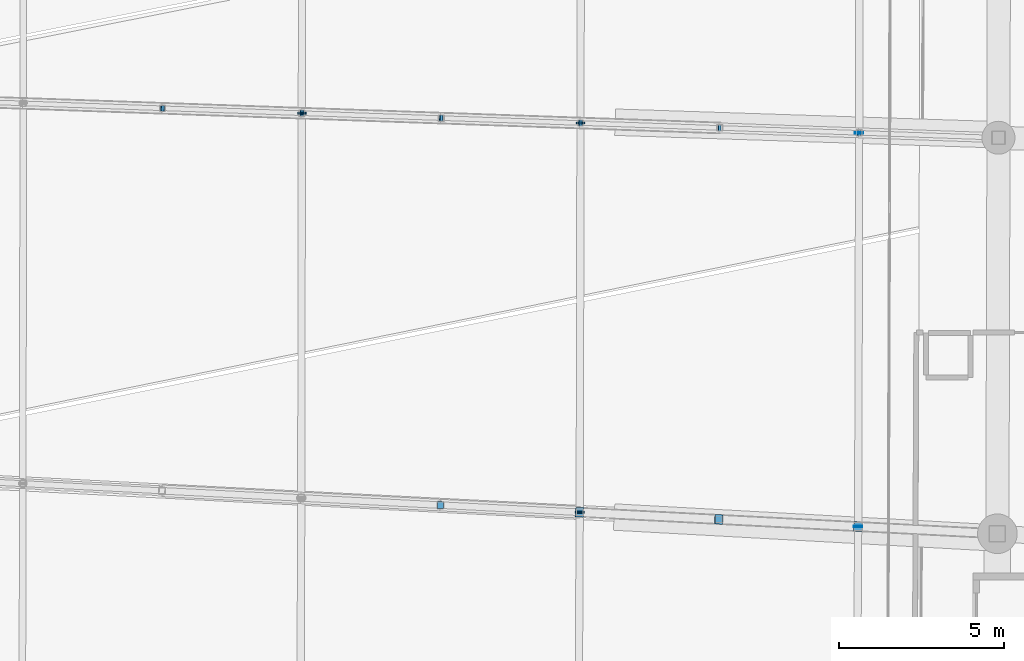
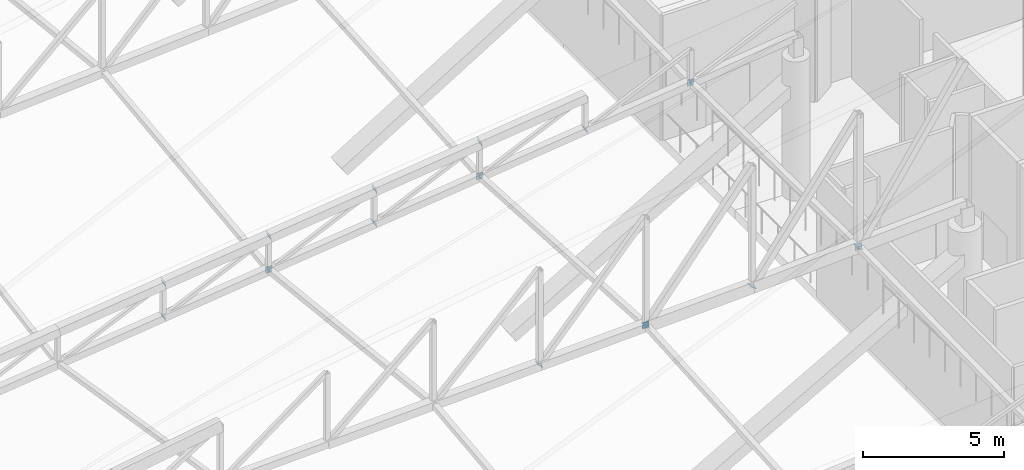
# One storey, part 304 of 344: 24 discrete accessories.
"""IFC4 building model written with IfcOpenShell, lengths in metres."""

from ifc_helpers import new_model, si_unit, direction, frame, origin, origin_2d, place, context, subcontext, project, spatial, rectangle, extrude, material, material_profile, profile_set, type_object, element, save


model = new_model("IFC4")

# Units and contexts
model_context = context("Model", 3, precision=1e-05, world=origin(), true_north=direction((0.0, 1.0)))
body_context = subcontext(model_context, "Body", "Model", "MODEL_VIEW")
ifc_project = project(units=[si_unit("LENGTHUNIT", "METRE"), si_unit("AREAUNIT", "SQUARE_METRE"), si_unit("VOLUMEUNIT", "CUBIC_METRE"), si_unit("PLANEANGLEUNIT", "RADIAN"), si_unit("MASSUNIT", "GRAM", prefix="KILO")], contexts=[model_context])

# Site, building, storey
site_placement = place(None, origin())
site = spatial("IfcSite", under=ifc_project, at=site_placement, CompositionType="ELEMENT")
building_placement = place(site_placement, origin())
building = spatial("IfcBuilding", under=site, at=building_placement, Name="Meseta Stadium", CompositionType="ELEMENT")
storey_placement = place(building_placement, frame((0.0, 0.0, 24.0)))
storey = spatial("IfcBuildingStorey", under=building, at=storey_placement, Name="L04", CompositionType="ELEMENT", Elevation=24.0)

# Discrete accessories
ifc_material_1 = material(Name="Steel S355", Category="steel")
ifc_material_profile_1 = material_profile(ifc_material_1, rectangle(XDim=0.179931640625, YDim=0.179931640625, at=origin_2d()), Name="PL 180x180")
ifc_profile_set_1 = profile_set([ifc_material_profile_1], Name="Steel S355")
discrete_accessory_type_1 = type_object("IfcDiscreteAccessoryType", Name="End plate 180x180x20", PredefinedType="ANCHORPLATE", material=ifc_profile_set_1)
for number, where, z_axis, x_axis, name in (
    (1, (59.655517578125, -17.518310546875, 4.429443359375), (0.898638141175, -0.036431275994, 0.437175311923), (0.040507266643, 0.999179243854, 0.0), "End plate of ROOF TRUSS RT-03 diagonal"),
    (2, (59.637451171875, -17.517822265625, 2.99267578125), (0.903716743385, -0.024424776848, 0.427433594844), (0.027017161348, 0.999634969873, 0.0), "End plate of ROOF TRUSS RT-03 diagonal"),
    (3, (63.875, -17.667236328125, 5.0625), (0.898969631887, -0.024296476537, 0.437336577675), (0.027017161348, 0.999634969873, 0.0), "End plate of ROOF TRUSS RT-03 diagonal"),
):
    element("IfcDiscreteAccessory", number, at=place(storey_placement, frame(where, z_axis=z_axis, x_axis=x_axis)), inside=storey, type_object=discrete_accessory_type_1, Name=name, PredefinedType="ANCHORPLATE", context=body_context, shape_type="SweptSolid", body=[
        extrude(rectangle(XDim=0.179931640625, YDim=0.179931640625, at=origin_2d()), origin(), (0.0, 0.0, 1.0), 0.02001953125),
    ])
discrete_accessory_1_placement = place(storey_placement, frame((63.857177734375, -17.66650390625, 3.625732421875), z_axis=(0.896262295257, -0.036832697065, 0.441992364784), x_axis=(0.041061231452, 0.999156632001, 0.0)))
element("IfcDiscreteAccessory", 4, at=discrete_accessory_1_placement, inside=storey, type_object=discrete_accessory_type_1, Name="End plate of ROOF TRUSS RT-03 diagonal", PredefinedType="ANCHORPLATE", context=body_context, shape_type="SweptSolid", body=[
    extrude(rectangle(XDim=0.179931640625, YDim=0.179931640625, at=origin_2d()), origin(), (0.0, 0.0, 1.0), 0.019775390625),
])
for number, where, z_axis, x_axis, name in (
    (5, (68.0947265625, -17.81591796875, 5.695556640625), (0.898969631887, -0.024296476537, 0.437336577675), (0.027017161348, 0.999634969873, 0.0), "End plate of ROOF TRUSS RT-03 diagonal"),
    (6, (68.07666015625, -17.815185546875, 4.2587890625), (0.898638141175, -0.036431275994, 0.437175311923), (0.040507266643, 0.999179243854, 0.0), "End plate of ROOF TRUSS RT-03 diagonal"),
    (7, (72.314208984375, -17.964599609375, 6.32861328125), (0.898969631887, -0.024296476537, 0.437336577675), (0.027017161348, 0.999634969873, 0.0), "End plate of ROOF TRUSS RT-03 diagonal"),
):
    element("IfcDiscreteAccessory", number, at=place(storey_placement, frame(where, z_axis=z_axis, x_axis=x_axis)), inside=storey, type_object=discrete_accessory_type_1, Name=name, PredefinedType="ANCHORPLATE", context=body_context, shape_type="SweptSolid", body=[
        extrude(rectangle(XDim=0.179931640625, YDim=0.179931640625, at=origin_2d()), origin(), (0.0, 0.0, 1.0), 0.02001953125),
    ])
discrete_accessory_2_placement = place(storey_placement, frame((72.29638671875, -17.9638671875, 4.891845703125), z_axis=(0.896262295257, -0.036832697065, 0.441992364784), x_axis=(0.041061231452, 0.999156632001, 0.0)))
element("IfcDiscreteAccessory", 8, at=discrete_accessory_2_placement, inside=storey, type_object=discrete_accessory_type_1, Name="End plate of ROOF TRUSS RT-03 diagonal", PredefinedType="ANCHORPLATE", context=body_context, shape_type="SweptSolid", body=[
    extrude(rectangle(XDim=0.179931640625, YDim=0.179931640625, at=origin_2d()), origin(), (0.0, 0.0, 1.0), 0.019775390625),
])
discrete_accessory_3_placement = place(storey_placement, frame((76.515869140625, -18.112548828125, 5.52490234375), z_axis=(0.898638141175, -0.036431275994, 0.437175311923), x_axis=(0.040507266643, 0.999179243854, 0.0)))
element("IfcDiscreteAccessory", 9, at=discrete_accessory_3_placement, inside=storey, type_object=discrete_accessory_type_1, Name="End plate of ROOF TRUSS RT-03 diagonal", PredefinedType="ANCHORPLATE", context=body_context, shape_type="SweptSolid", body=[
    extrude(rectangle(XDim=0.179931640625, YDim=0.179931640625, at=origin_2d()), origin(), (0.0, 0.0, 1.0), 0.02001953125),
])
discrete_accessory_4_placement = place(storey_placement, frame((80.735595703125, -18.261474609375, 6.158203125), z_axis=(0.896600239651, -0.024564390127, 0.442159022294), x_axis=(0.027386983732, 0.999624906213, 0.0)))
element("IfcDiscreteAccessory", 10, at=discrete_accessory_4_placement, inside=storey, type_object=discrete_accessory_type_1, Name="End plate of ROOF TRUSS RT-03 diagonal", PredefinedType="ANCHORPLATE", context=body_context, shape_type="SweptSolid", body=[
    extrude(rectangle(XDim=0.179931640625, YDim=0.179931640625, at=origin_2d()), origin(), (0.0, 0.0, 1.0), 0.019775390625),
])
ifc_material_2 = material(Name="Steel S355", Category="steel")
ifc_material_profile_2 = material_profile(ifc_material_2, rectangle(XDim=0.239990234375, YDim=0.239990234375, at=origin_2d()), Name="PL 240x240")
ifc_profile_set_2 = profile_set([ifc_material_profile_2], Name="Steel S355")
discrete_accessory_type_2 = type_object("IfcDiscreteAccessoryType", Name="End plate 240x240x20", PredefinedType="ANCHORPLATE", material=ifc_profile_set_2)
discrete_accessory_5_placement = place(storey_placement, frame((68.061279296875, -29.536376953125, 5.261474609375), z_axis=(0.649342091356, -0.036755212718, 0.75960772951), x_axis=(0.056513312023, 0.998401845734, 0.0)))
element("IfcDiscreteAccessory", 11, at=discrete_accessory_5_placement, inside=storey, type_object=discrete_accessory_type_2, Name="End plate of ROOF TRUSS RT-02 diagonal", PredefinedType="ANCHORPLATE", context=body_context, shape_type="SweptSolid", body=[
    extrude(rectangle(XDim=0.239990234375, YDim=0.239990234375, at=origin_2d()), origin(), (0.0, 0.0, 1.0), 0.02001953125),
])
ifc_material_3 = material(Name="Steel S355", Category="steel")
ifc_material_profile_3 = material_profile(ifc_material_3, rectangle(XDim=0.260009765625, YDim=0.260009765625, at=origin_2d()), Name="PL 260x260")
ifc_profile_set_3 = profile_set([ifc_material_profile_3], Name="Steel S355")
discrete_accessory_type_3 = type_object("IfcDiscreteAccessoryType", Name="End plate 260x260x20", PredefinedType="ANCHORPLATE", material=ifc_profile_set_3)
for number, where, z_axis, x_axis, name in (
    (12, (72.290771484375, -29.75390625, 5.624755859375), (0.0, 0.998146155389, 0.060862570451), (-1.0, 0.0, 0.0), "End plate of ROOF TRUSS STRUT RT-01/02"),
    (13, (80.72412109375, -30.187255859375, 6.321044921875), (0.0, 0.999925647793, 0.012194215217), (-1.0, 0.0, 0.0), "End plate of ROOF TRUSS STRUT RT-01/02"),
    (14, (63.875, -17.667236328125, 3.634521484375), (0.012121434739, 0.993957648609, -0.109092912652), (-0.999925647793, 0.012194215217, 0.0), "End plate of ROOF TRUSS STRUT RT-02/03"),
):
    element("IfcDiscreteAccessory", number, at=place(storey_placement, frame(where, z_axis=z_axis, x_axis=x_axis)), inside=storey, type_object=discrete_accessory_type_3, Name=name, PredefinedType="ANCHORPLATE", context=body_context, shape_type="SweptSolid", body=[
        extrude(rectangle(XDim=0.260009765625, YDim=0.260009765625, at=origin_2d()), origin(), (0.0, 0.0, 1.0), 0.02001953125),
    ])
discrete_accessory_6_placement = place(storey_placement, frame((72.290771484375, -29.773681640625, 5.6259765625), z_axis=(0.0, 0.998100230056, -0.061611125312), x_axis=(-1.0, 0.0, 0.0)))
element("IfcDiscreteAccessory", 15, at=discrete_accessory_6_placement, inside=storey, type_object=discrete_accessory_type_3, Name="End plate of ROOF TRUSS STRUT RT-02/03", PredefinedType="ANCHORPLATE", context=body_context, shape_type="SweptSolid", body=[
    extrude(rectangle(XDim=0.260009765625, YDim=0.260009765625, at=origin_2d()), origin(), (0.0, 0.0, 1.0), 0.019775390625),
])
for number, where, z_axis, x_axis, name in (
    (16, (72.314208984375, -17.964599609375, 4.900634765625), (0.012171612389, 0.998072215898, -0.060858061945), (-0.999925647793, 0.012194215217, 0.0), "End plate of ROOF TRUSS STRUT RT-02/03"),
    (17, (80.72412109375, -30.207275390625, 6.3212890625), (0.0, 0.999925647793, -0.012194215217), (-1.0, 0.0, 0.0), "End plate of ROOF TRUSS STRUT RT-02/03"),
    (18, (80.75341796875, -18.261962890625, 6.1669921875), (0.0, 0.999925647793, -0.012194215217), (-1.0, 0.0, 0.0), "End plate of ROOF TRUSS STRUT RT-02/03"),
    (19, (63.875, -17.68701171875, 3.632080078125), (0.0, 0.992465233221, 0.122526572003), (-1.0, 0.0, 0.0), "End plate of ROOF TRUSS STRUT RT-03/04"),
    (20, (72.314208984375, -17.984619140625, 4.8994140625), (0.0, 0.998146155389, 0.060862570451), (-1.0, 0.0, 0.0), "End plate of ROOF TRUSS STRUT RT-03/04"),
    (21, (80.75341796875, -18.281982421875, 6.16650390625), (0.0, 0.999702690643, 0.024382992455), (-1.0, 0.0, 0.0), "End plate of ROOF TRUSS STRUT RT-03/04"),
):
    element("IfcDiscreteAccessory", number, at=place(storey_placement, frame(where, z_axis=z_axis, x_axis=x_axis)), inside=storey, type_object=discrete_accessory_type_3, Name=name, PredefinedType="ANCHORPLATE", context=body_context, shape_type="SweptSolid", body=[
        extrude(rectangle(XDim=0.260009765625, YDim=0.260009765625, at=origin_2d()), origin(), (0.0, 0.0, 1.0), 0.02001953125),
    ])
ifc_material_4 = material(Name="Steel S355", Category="steel")
ifc_material_profile_4 = material_profile(ifc_material_4, rectangle(XDim=0.2900390625, YDim=0.2900390625, at=origin_2d()), Name="PL 290x290")
ifc_profile_set_4 = profile_set([ifc_material_profile_4], Name="Steel S355")
discrete_accessory_type_4 = type_object("IfcDiscreteAccessoryType", Name="End plate 290x290x20", PredefinedType="ANCHORPLATE", material=ifc_profile_set_4)
for number, where, z_axis, x_axis, name in (
    (22, (72.27880859375, -29.753173828125, 5.60888671875), (0.601555381629, -0.036829921324, 0.797981628691), (0.06111006328, 0.998131033565, 0.0), "End plate of ROOF TRUSS RT-02 diagonal"),
    (23, (76.49609375, -29.969970703125, 5.95654296875), (0.565835193214, -0.02460153014, 0.824151259682), (0.043437224276, 0.999056158355, 0.0), "End plate of ROOF TRUSS RT-02 diagonal"),
):
    element("IfcDiscreteAccessory", number, at=place(storey_placement, frame(where, z_axis=z_axis, x_axis=x_axis)), inside=storey, type_object=discrete_accessory_type_4, Name=name, PredefinedType="ANCHORPLATE", context=body_context, shape_type="SweptSolid", body=[
        extrude(rectangle(XDim=0.2900390625, YDim=0.2900390625, at=origin_2d()), origin(), (0.0, 0.0, 1.0), 0.019775390625),
    ])
discrete_accessory_7_placement = place(storey_placement, frame((80.71337890625, -30.186767578125, 6.30419921875), z_axis=(0.537505444318, -0.024432065651, 0.842906264953), x_axis=(0.045407660919, 0.99896854021, 0.0)))
element("IfcDiscreteAccessory", 24, at=discrete_accessory_7_placement, inside=storey, type_object=discrete_accessory_type_4, Name="End plate of ROOF TRUSS RT-02 diagonal", PredefinedType="ANCHORPLATE", context=body_context, shape_type="SweptSolid", body=[
    extrude(rectangle(XDim=0.2900390625, YDim=0.2900390625, at=origin_2d()), origin(), (0.0, 0.0, 1.0), 0.02001953125),
])

save(model, "model.ifc")
